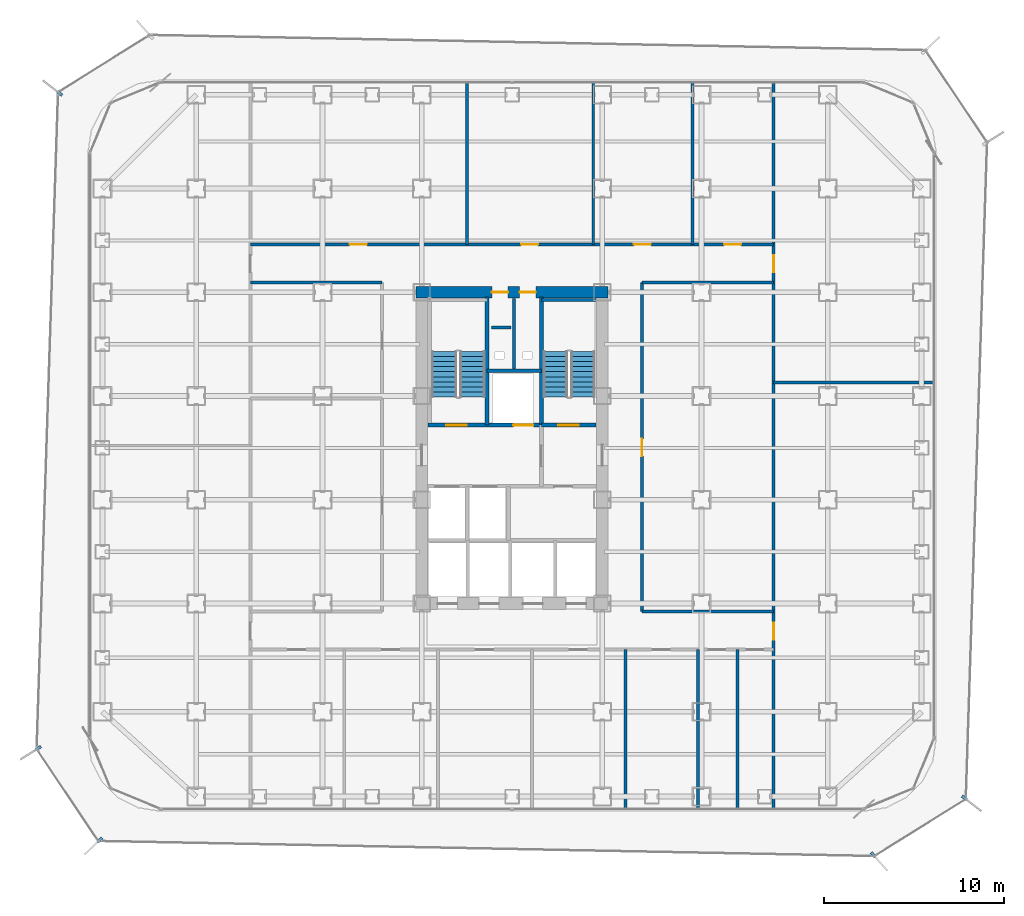
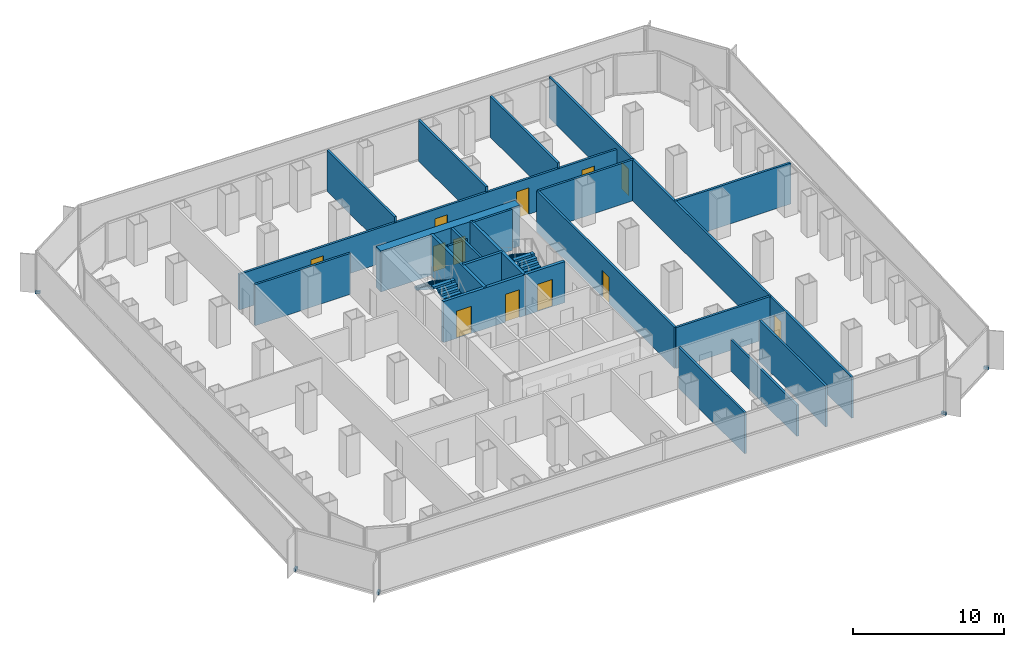
# One storey, part 18 of 22: 22 walls, 12 doors, 5 discrete accessories, 4 stair flights, 12 openings, 2 elements without a shape of their own.
"""IFC4 building model written with IfcOpenShell, lengths in metres."""

from ifc_helpers import new_model, si_unit, direction, frame, frame_2d, origin, origin_2d, place, context, subcontext, project, spatial, polyline, rectangle, outline, extrude, source, transform, mapped, material, layer, layer_set, type_object, element, fill, aggregate, save


model = new_model("IFC4")

# Units and contexts
model_context = context("Model", 3, precision=1e-05, world=origin(), true_north=direction((0.0, 1.0)))
body_context = subcontext(model_context, "Body", "Model", "MODEL_VIEW")
ifc_project = project(units=[si_unit("LENGTHUNIT", "METRE"), si_unit("AREAUNIT", "SQUARE_METRE"), si_unit("VOLUMEUNIT", "CUBIC_METRE"), si_unit("PLANEANGLEUNIT", "RADIAN"), si_unit("MASSUNIT", "GRAM", prefix="KILO")], contexts=[model_context])

# Site, building, storey
site_placement = place(None, origin())
site = spatial("IfcSite", under=ifc_project, at=site_placement, CompositionType="ELEMENT")
building_placement = place(site_placement, origin())
building = spatial("IfcBuilding", under=site, at=building_placement, Name="Kolveth Station Tower", CompositionType="ELEMENT")
storey_placement = place(building_placement, frame((0.0, 0.0, 51.300048828125)))
storey = spatial("IfcBuildingStorey", under=building, at=storey_placement, Name="L13", CompositionType="ELEMENT", Elevation=51.300048828125)

# Wall, openings, doors
ifc_material_1 = material(Name="Concrete C60/75", Category="concrete")
ifc_layer_1 = layer(ifc_material_1, 0.64990234375)
ifc_layer_set_1 = layer_set([ifc_layer_1], Name="Concrete C60/75")
wall_type_1 = type_object("IfcWallType", Name="Wall_CW-650", PredefinedType="SHEAR", material=ifc_layer_set_1)
wall_1_placement = place(storey_placement, frame((18.175048828125, 28.75, 0.0), z_axis=(0.0, 0.0, 1.0), x_axis=(1.0, 0.0, 0.0)))
wall_1 = element("IfcWall", 1, at=wall_1_placement, inside=storey, type_object=wall_type_1, Name="L13 Core RC Shear Wall N", PredefinedType="SHEAR", context=body_context, shape_type="SweptSolid", body=[
    extrude(rectangle(XDim=10.64990234375, YDim=0.64990234375, at=frame_2d((5.324951171875, 0.0))), origin(), (0.0, 0.0, 1.0), 3.320068359375),
])
opening_1_placement = place(wall_1_placement, frame((4.205078125, 0.0, 0.0)))
opening_1 = element("IfcOpeningElement", 2, at=opening_1_placement, cuts=wall_1, Name="Opening RD1", PredefinedType="OPENING", context=body_context, shape_type="SweptSolid", body=[
    extrude(rectangle(XDim=0.89990234375, YDim=2.050048828125, at=frame_2d((0.449951171875, 1.02490234375))), frame((0.0, 0.3349609375, 0.0), z_axis=(0.0, -1.0, 0.0), x_axis=(1.0, 0.0, 0.0)), (0.0, 0.0, 1.0), 0.669921875),
])
opening_2_placement = place(wall_1_placement, frame((5.7451171875, 0.0, 0.0)))
opening_2 = element("IfcOpeningElement", 3, at=opening_2_placement, cuts=wall_1, Name="Opening RD1", PredefinedType="OPENING", context=body_context, shape_type="SweptSolid", body=[
    extrude(rectangle(XDim=0.89990234375, YDim=2.050048828125, at=frame_2d((0.449951171875, 1.02490234375))), frame((0.0, 0.3349609375, 0.0), z_axis=(0.0, -1.0, 0.0), x_axis=(1.0, 0.0, 0.0)), (0.0, 0.0, 1.0), 0.669921875),
])
ifc_material_2 = material(Name="Fire-rated Steel S355 riser access leaf", Category="steel")
door_type_1 = type_object("IfcDoorType", Name="Door_RD1", OperationType="NOTDEFINED", PredefinedType="DOOR", material=ifc_material_2)
door_1_placement = place(opening_1_placement, origin())
door_1 = element("IfcDoor", 4, at=door_1_placement, inside=storey, type_object=door_type_1, Name="L13 Electrical Riser Access Door", OperationType="SINGLE_SWING_LEFT", OverallHeight=2.050048828125, OverallWidth=0.89990234375, PredefinedType="DOOR", context=body_context, shape_type="SweptSolid", body=[
    extrude(rectangle(XDim=0.89990234375, YDim=2.050048828125, at=frame_2d((0.449951171875, 1.02490234375))), frame((0.0, 0.02490234375, 0.0), z_axis=(0.0, -1.0, 0.0), x_axis=(1.0, 0.0, 0.0)), (0.0, 0.0, 1.0), 0.050048828125),
])
fill(opening_1, door_1)
door_2_placement = place(opening_2_placement, origin())
door_2 = element("IfcDoor", 5, at=door_2_placement, inside=storey, type_object=door_type_1, Name="L13 Smoke Duct Access Door", OperationType="SINGLE_SWING_RIGHT", OverallHeight=2.050048828125, OverallWidth=0.89990234375, PredefinedType="DOOR", context=body_context, shape_type="SweptSolid", body=[
    extrude(rectangle(XDim=0.89990234375, YDim=2.050048828125, at=frame_2d((0.449951171875, 1.02490234375))), frame((0.0, 0.02490234375, 0.0), z_axis=(0.0, -1.0, 0.0), x_axis=(1.0, 0.0, 0.0)), (0.0, 0.0, 1.0), 0.050048828125),
])
fill(opening_2, door_2)

# Walls
ifc_material_3 = material(Name="Acoustic double-stud gypsum partition")
ifc_layer_2 = layer(ifc_material_3, 0.1650390625)
ifc_layer_set_2 = layer_set([ifc_layer_2], Name="Acoustic double-stud gypsum partition")
wall_type_2 = type_object("IfcWallType", Name="Wall_IW-165", PredefinedType="PARTITIONING", material=ifc_layer_set_2)
wall_2_placement = place(storey_placement, frame((25.1298828125, 28.3349609375, 0.0), z_axis=(0.0, 0.0, 1.0), x_axis=(1.0, 0.0, 0.0)))
element("IfcWall", 6, at=wall_2_placement, inside=storey, type_object=wall_type_2, Name="L13 Stair Shaft Wall WL-L13-ST2-N", PredefinedType="PARTITIONING", context=body_context, shape_type="SweptSolid", body=[
    extrude(rectangle(XDim=3.03515625, YDim=0.1650390625, at=frame_2d((1.517578125, 0.0))), origin(), (0.0, 0.0, 1.0), 3.320068359375),
])
wall_3_placement = place(storey_placement, frame((23.6201171875, 24.39990234375, 0.0), z_axis=(0.0, 0.0, 1.0), x_axis=(0.0, 1.0, 0.0)))
element("IfcWall", 7, at=wall_3_placement, inside=storey, type_object=wall_type_2, Name="L13 Partition Wall WL-L13-RSR-M", PredefinedType="PARTITIONING", context=body_context, shape_type="SweptSolid", body=[
    extrude(rectangle(XDim=4.01513671875, YDim=0.1650390625, at=frame_2d((2.007568359375, 0.0))), origin(), (0.0, 0.0, 1.0), 3.320068359375),
])

# Wall, openings, doors
wall_4_placement = place(storey_placement, frame((9.0, 31.39990234375, 0.0), z_axis=(0.0, 0.0, 1.0), x_axis=(1.0, 0.0, 0.0)))
wall_4 = element("IfcWall", 8, at=wall_4_placement, inside=storey, type_object=wall_type_2, Name="L13 Partition Wall WL-L13-ON", PredefinedType="PARTITIONING", context=body_context, shape_type="SweptSolid", body=[
    extrude(rectangle(XDim=29.0, YDim=0.1650390625, at=frame_2d((14.5, 0.0))), origin(), (0.0, 0.0, 1.0), 2.89794921875),
])
opening_3_placement = place(wall_4_placement, frame((5.5, 0.0, 0.0)))
opening_3 = element("IfcOpeningElement", 9, at=opening_3_placement, cuts=wall_4, Name="Opening ID1", PredefinedType="OPENING", context=body_context, shape_type="SweptSolid", body=[
    extrude(rectangle(XDim=0.949951171875, YDim=2.14990234375, at=frame_2d((0.47509765625, 1.074951171875))), frame((0.0, 0.092529296875, 0.0), z_axis=(0.0, -1.0, 0.0), x_axis=(1.0, 0.0, 0.0)), (0.0, 0.0, 1.0), 0.18505859375),
])
opening_4_placement = place(wall_4_placement, frame((15.0, 0.0, 0.0)))
opening_4 = element("IfcOpeningElement", 10, at=opening_4_placement, cuts=wall_4, Name="Opening ID1", PredefinedType="OPENING", context=body_context, shape_type="SweptSolid", body=[
    extrude(rectangle(XDim=0.949951171875, YDim=2.14990234375, at=frame_2d((0.47509765625, 1.074951171875))), frame((0.0, 0.092529296875, 0.0), z_axis=(0.0, -1.0, 0.0), x_axis=(1.0, 0.0, 0.0)), (0.0, 0.0, 1.0), 0.18505859375),
])
opening_5_placement = place(wall_4_placement, frame((21.25, 0.0, 0.0)))
opening_5 = element("IfcOpeningElement", 11, at=opening_5_placement, cuts=wall_4, Name="Opening ID1", PredefinedType="OPENING", context=body_context, shape_type="SweptSolid", body=[
    extrude(rectangle(XDim=0.949951171875, YDim=2.14990234375, at=frame_2d((0.47509765625, 1.074951171875))), frame((0.0, 0.092529296875, 0.0), z_axis=(0.0, -1.0, 0.0), x_axis=(1.0, 0.0, 0.0)), (0.0, 0.0, 1.0), 0.18505859375),
])
opening_6_placement = place(wall_4_placement, frame((26.25, 0.0, 0.0)))
opening_6 = element("IfcOpeningElement", 12, at=opening_6_placement, cuts=wall_4, Name="Opening ID1", PredefinedType="OPENING", context=body_context, shape_type="SweptSolid", body=[
    extrude(rectangle(XDim=0.949951171875, YDim=2.14990234375, at=frame_2d((0.47509765625, 1.074951171875))), frame((0.0, 0.092529296875, 0.0), z_axis=(0.0, -1.0, 0.0), x_axis=(1.0, 0.0, 0.0)), (0.0, 0.0, 1.0), 0.18505859375),
])
ifc_material_4 = material(Name="Acoustic hardwood leaf and aluminium frame", Category="wood")
door_type_2 = type_object("IfcDoorType", Name="Door_ID1", OperationType="NOTDEFINED", PredefinedType="DOOR", material=ifc_material_4)
door_3_placement = place(opening_3_placement, origin())
door_3 = element("IfcDoor", 13, at=door_3_placement, inside=storey, type_object=door_type_2, Name="L13 Cellular Office 3 Door", OperationType="SINGLE_SWING_RIGHT", OverallHeight=2.14990234375, OverallWidth=0.949951171875, PredefinedType="DOOR", context=body_context, shape_type="SweptSolid", body=[
    extrude(rectangle(XDim=0.949951171875, YDim=2.14990234375, at=frame_2d((0.47509765625, 1.074951171875))), frame((0.0, 0.02490234375, 0.0), z_axis=(0.0, -1.0, 0.0), x_axis=(1.0, 0.0, 0.0)), (0.0, 0.0, 1.0), 0.050048828125),
])
fill(opening_3, door_3)
door_4_placement = place(opening_4_placement, origin())
door_4 = element("IfcDoor", 14, at=door_4_placement, inside=storey, type_object=door_type_2, Name="L13 Cellular Office 4 Door", OperationType="SINGLE_SWING_LEFT", OverallHeight=2.14990234375, OverallWidth=0.949951171875, PredefinedType="DOOR", context=body_context, shape_type="SweptSolid", body=[
    extrude(rectangle(XDim=0.949951171875, YDim=2.14990234375, at=frame_2d((0.47509765625, 1.074951171875))), frame((0.0, 0.02490234375, 0.0), z_axis=(0.0, -1.0, 0.0), x_axis=(1.0, 0.0, 0.0)), (0.0, 0.0, 1.0), 0.050048828125),
])
fill(opening_4, door_4)
door_5_placement = place(opening_5_placement, origin())
door_5 = element("IfcDoor", 15, at=door_5_placement, inside=storey, type_object=door_type_2, Name="L13 Office Pantry Door", OperationType="SINGLE_SWING_RIGHT", OverallHeight=2.14990234375, OverallWidth=0.949951171875, PredefinedType="DOOR", context=body_context, shape_type="SweptSolid", body=[
    extrude(rectangle(XDim=0.949951171875, YDim=2.14990234375, at=frame_2d((0.47509765625, 1.074951171875))), frame((0.0, 0.02490234375, 0.0), z_axis=(0.0, -1.0, 0.0), x_axis=(1.0, 0.0, 0.0)), (0.0, 0.0, 1.0), 0.050048828125),
])
fill(opening_5, door_5)
door_6_placement = place(opening_6_placement, origin())
door_6 = element("IfcDoor", 16, at=door_6_placement, inside=storey, type_object=door_type_2, Name="L13 Archive Store Door", OperationType="SINGLE_SWING_LEFT", OverallHeight=2.14990234375, OverallWidth=0.949951171875, PredefinedType="DOOR", context=body_context, shape_type="SweptSolid", body=[
    extrude(rectangle(XDim=0.949951171875, YDim=2.14990234375, at=frame_2d((0.47509765625, 1.074951171875))), frame((0.0, 0.02490234375, 0.0), z_axis=(0.0, -1.0, 0.0), x_axis=(1.0, 0.0, 0.0)), (0.0, 0.0, 1.0), 0.050048828125),
])
fill(opening_6, door_6)

# Walls
for number, where, z_axis, x_axis, name in (
    (17, (30.699951171875, 11.050048828125, 0.0), (0.0, 0.0, 1.0), (1.0, 0.0, 0.0), "L13 Partition Wall WL-L13-OSET"),
    (18, (9.0, 29.300048828125, 0.0), (0.0, 0.0, 1.0), (1.0, 0.0, 0.0), "L13 Partition Wall WL-L13-ONWB"),
    (19, (30.699951171875, 29.300048828125, 0.0), (0.0, 0.0, 1.0), (1.0, 0.0, 0.0), "L13 Partition Wall WL-L13-ONEB"),
):
    element("IfcWall", number, at=place(storey_placement, frame(where, z_axis=z_axis, x_axis=x_axis)), inside=storey, type_object=wall_type_2, Name=name, PredefinedType="PARTITIONING", context=body_context, shape_type="SweptSolid", body=[
        extrude(rectangle(XDim=7.300048828125, YDim=0.1650390625, at=frame_2d((3.64990234375, 0.0))), origin(), (0.0, 0.0, 1.0), 3.320068359375),
    ])

# Wall, opening, door
wall_5_placement = place(storey_placement, frame((30.699951171875, 11.050048828125, 0.0), z_axis=(0.0, 0.0, 1.0), x_axis=(0.0, 1.0, 0.0)))
wall_5 = element("IfcWall", 20, at=wall_5_placement, inside=storey, type_object=wall_type_2, Name="L13 Partition Wall WL-L13-OCE", PredefinedType="PARTITIONING", context=body_context, shape_type="SweptSolid", body=[
    extrude(rectangle(XDim=18.25, YDim=0.1650390625, at=frame_2d((9.125, 0.0))), origin(), (0.0, 0.0, 1.0), 3.320068359375),
])
opening_7_placement = place(wall_5_placement, frame((8.625, 0.0, 0.0)))
opening_7 = element("IfcOpeningElement", 21, at=opening_7_placement, cuts=wall_5, Name="Opening ID1", PredefinedType="OPENING", context=body_context, shape_type="SweptSolid", body=[
    extrude(rectangle(XDim=0.949951171875, YDim=2.14990234375, at=frame_2d((0.47509765625, 1.074951171875))), frame((0.0, 0.092529296875, 0.0), z_axis=(0.0, -1.0, 0.0), x_axis=(1.0, 0.0, 0.0)), (0.0, 0.0, 1.0), 0.18505859375),
])
door_7_placement = place(opening_7_placement, origin())
door_7 = element("IfcDoor", 22, at=door_7_placement, inside=storey, type_object=door_type_2, Name="L13 Internal Meeting Room E1 Door", OperationType="SINGLE_SWING_RIGHT", OverallHeight=2.14990234375, OverallWidth=0.949951171875, PredefinedType="DOOR", context=body_context, shape_type="SweptSolid", body=[
    extrude(rectangle(XDim=0.949951171875, YDim=2.14990234375, at=frame_2d((0.47509765625, 1.074951171875))), frame((0.0, 0.02490234375, 0.0), z_axis=(0.0, -1.0, 0.0), x_axis=(1.0, 0.0, 0.0)), (0.0, 0.0, 1.0), 0.050048828125),
])
fill(opening_7, door_7)

# Wall, openings, doors
wall_6_placement = place(storey_placement, frame((38.0, 0.159912109375, 0.0), z_axis=(0.0, 0.0, 1.0), x_axis=(0.0, 1.0, 0.0)))
wall_6 = element("IfcWall", 23, at=wall_6_placement, inside=storey, type_object=wall_type_2, Name="L13 Partition Wall WL-L13-OEEND", PredefinedType="PARTITIONING", context=body_context, shape_type="SweptSolid", body=[
    extrude(rectangle(XDim=40.18017578125, YDim=0.1650390625, at=frame_2d((20.090087890625, 0.0))), origin(), (0.0, 0.0, 1.0), 3.320068359375),
])
opening_8_placement = place(wall_6_placement, frame((9.340087890625, 0.0, 0.0)))
opening_8 = element("IfcOpeningElement", 24, at=opening_8_placement, cuts=wall_6, Name="Opening ID1", PredefinedType="OPENING", context=body_context, shape_type="SweptSolid", body=[
    extrude(rectangle(XDim=0.949951171875, YDim=2.14990234375, at=frame_2d((0.47509765625, 1.074951171875))), frame((0.0, 0.092529296875, 0.0), z_axis=(0.0, -1.0, 0.0), x_axis=(1.0, 0.0, 0.0)), (0.0, 0.0, 1.0), 0.18505859375),
])
opening_9_placement = place(wall_6_placement, frame((29.68994140625, 0.0, 0.0)))
opening_9 = element("IfcOpeningElement", 25, at=opening_9_placement, cuts=wall_6, Name="Opening ID1", PredefinedType="OPENING", context=body_context, shape_type="SweptSolid", body=[
    extrude(rectangle(XDim=0.949951171875, YDim=2.14990234375, at=frame_2d((0.47509765625, 1.074951171875))), frame((0.0, 0.092529296875, 0.0), z_axis=(0.0, -1.0, 0.0), x_axis=(1.0, 0.0, 0.0)), (0.0, 0.0, 1.0), 0.18505859375),
])
door_8_placement = place(opening_8_placement, origin())
door_8 = element("IfcDoor", 26, at=door_8_placement, inside=storey, type_object=door_type_2, Name="L13 East-South Wing Door", OperationType="SINGLE_SWING_RIGHT", OverallHeight=2.14990234375, OverallWidth=0.949951171875, PredefinedType="DOOR", context=body_context, shape_type="SweptSolid", body=[
    extrude(rectangle(XDim=0.949951171875, YDim=2.14990234375, at=frame_2d((0.47509765625, 1.074951171875))), frame((0.0, 0.02490234375, 0.0), z_axis=(0.0, -1.0, 0.0), x_axis=(1.0, 0.0, 0.0)), (0.0, 0.0, 1.0), 0.050048828125),
])
fill(opening_8, door_8)
door_9_placement = place(opening_9_placement, origin())
door_9 = element("IfcDoor", 27, at=door_9_placement, inside=storey, type_object=door_type_2, Name="L13 East-North Wing Door", OperationType="SINGLE_SWING_LEFT", OverallHeight=2.14990234375, OverallWidth=0.949951171875, PredefinedType="DOOR", context=body_context, shape_type="SweptSolid", body=[
    extrude(rectangle(XDim=0.949951171875, YDim=2.14990234375, at=frame_2d((0.47509765625, 1.074951171875))), frame((0.0, 0.02490234375, 0.0), z_axis=(0.0, -1.0, 0.0), x_axis=(1.0, 0.0, 0.0)), (0.0, 0.0, 1.0), 0.050048828125),
])
fill(opening_9, door_9)

# Walls
wall_7_placement = place(storey_placement, frame((29.800048828125, 0.159912109375, 0.0), z_axis=(0.0, 0.0, 1.0), x_axis=(0.0, 1.0, 0.0)))
element("IfcWall", 28, at=wall_7_placement, inside=storey, type_object=wall_type_2, Name="L13 Partition Wall WL-L13-OS-P4", PredefinedType="PARTITIONING", context=body_context, shape_type="SweptSolid", body=[
    extrude(rectangle(XDim=8.7900390625, YDim=0.1650390625, at=frame_2d((4.39501953125, 0.0))), origin(), (0.0, 0.0, 1.0), 3.320068359375),
])
wall_8_placement = place(storey_placement, frame((33.800048828125, 0.159912109375, 0.0), z_axis=(0.0, 0.0, 1.0), x_axis=(0.0, 1.0, 0.0)))
element("IfcWall", 29, at=wall_8_placement, inside=storey, type_object=wall_type_2, Name="L13 Partition Wall WL-L13-OS-P5", PredefinedType="PARTITIONING", context=body_context, shape_type="SweptSolid", body=[
    extrude(rectangle(XDim=8.7900390625, YDim=0.1650390625, at=frame_2d((4.39501953125, 0.0))), origin(), (0.0, 0.0, 1.0), 2.5390625),
])
wall_9_placement = place(storey_placement, frame((36.0, 0.159912109375, 0.0), z_axis=(0.0, 0.0, 1.0), x_axis=(0.0, 1.0, 0.0)))
element("IfcWall", 30, at=wall_9_placement, inside=storey, type_object=wall_type_2, Name="L13 Partition Wall WL-L13-OS-P6", PredefinedType="PARTITIONING", context=body_context, shape_type="SweptSolid", body=[
    extrude(rectangle(XDim=8.7900390625, YDim=0.1650390625, at=frame_2d((4.39501953125, 0.0))), origin(), (0.0, 0.0, 1.0), 3.320068359375),
])
for number, where, z_axis, x_axis, name in (
    (31, (21.0, 31.39990234375, 0.0), (0.0, 0.0, 1.0), (0.0, 1.0, 0.0), "L13 Partition Wall WL-L13-ON-P1"),
    (32, (28.0, 31.39990234375, 0.0), (0.0, 0.0, 1.0), (0.0, 1.0, 0.0), "L13 Partition Wall WL-L13-ON-P2"),
    (33, (33.5, 31.39990234375, 0.0), (0.0, 0.0, 1.0), (0.0, 1.0, 0.0), "L13 Partition Wall WL-L13-ON-P3"),
):
    element("IfcWall", number, at=place(storey_placement, frame(where, z_axis=z_axis, x_axis=x_axis)), inside=storey, type_object=wall_type_2, Name=name, PredefinedType="PARTITIONING", context=body_context, shape_type="SweptSolid", body=[
        extrude(rectangle(XDim=8.940185546875, YDim=0.1650390625, at=frame_2d((4.47021484375, 0.0))), origin(), (0.0, 0.0, 1.0), 3.320068359375),
    ])
wall_10_placement = place(storey_placement, frame((38.0, 23.75, 0.0), z_axis=(0.0, 0.0, 1.0), x_axis=(1.0, 0.0, 0.0)))
element("IfcWall", 34, at=wall_10_placement, inside=storey, type_object=wall_type_2, Name="L13 Partition Wall WL-L13-OEM", PredefinedType="PARTITIONING", context=body_context, shape_type="SweptSolid", body=[
    extrude(rectangle(XDim=8.840087890625, YDim=0.1650390625, at=frame_2d((4.419921875, 0.0))), origin(), (0.0, 0.0, 1.0), 3.320068359375),
])
wall_11_placement = place(storey_placement, frame((22.35009765625, 26.800048828125, 0.0), z_axis=(0.0, 0.0, 1.0), x_axis=(1.0, 0.0, 0.0)))
element("IfcWall", 35, at=wall_11_placement, inside=storey, type_object=wall_type_2, Name="L13 Acoustic Riser Dry-Lining Wall", PredefinedType="PARTITIONING", context=body_context, shape_type="SweptSolid", body=[
    extrude(rectangle(XDim=1.099853515625, YDim=0.1650390625, at=frame_2d((0.5498046875, 0.0))), origin(), (0.0, 0.0, 1.0), 3.320068359375),
])
ifc_material_5 = material(Name="Acoustic fire-rated gypsum blockwork", Category="masonry")
ifc_layer_3 = layer(ifc_material_5, 0.199951171875)
ifc_layer_set_3 = layer_set([ifc_layer_3], Name="Acoustic fire-rated gypsum blockwork")
wall_type_3 = type_object("IfcWallType", Name="Wall_IW-200", PredefinedType="PARTITIONING", material=ifc_layer_set_3)
wall_12_placement = place(storey_placement, frame((22.110107421875, 24.39990234375, 0.0), z_axis=(0.0, 0.0, 1.0), x_axis=(1.0, 0.0, 0.0)))
element("IfcWall", 36, at=wall_12_placement, inside=storey, type_object=wall_type_3, Name="L13 Partition Wall WL-L13-RSR-S", PredefinedType="PARTITIONING", context=body_context, shape_type="SweptSolid", body=[
    extrude(rectangle(XDim=3.019775390625, YDim=0.199951171875, at=frame_2d((1.509765625, 0.0))), origin(), (0.0, 0.0, 1.0), 3.320068359375),
])
ifc_material_6 = material(Name="Concrete C40/50", Category="concrete")
ifc_layer_4 = layer(ifc_material_6, 0.219970703125)
ifc_layer_set_4 = layer_set([ifc_layer_4], Name="Concrete C40/50")
wall_type_4 = type_object("IfcWallType", Name="Wall_IW-220", PredefinedType="SOLIDWALL", material=ifc_layer_set_4)
for number, where, z_axis, x_axis, name in (
    (37, (22.110107421875, 21.389892578125, 0.0), (0.0, 0.0, 1.0), (0.0, 1.0, 0.0), "L13 Stair Shaft Wall WL-L13-ST1-E"),
    (38, (25.1298828125, 21.389892578125, 0.0), (0.0, 0.0, 1.0), (0.0, 1.0, 0.0), "L13 Stair Shaft Wall WL-L13-ST2-W"),
):
    element("IfcWall", number, at=place(storey_placement, frame(where, z_axis=z_axis, x_axis=x_axis)), inside=storey, type_object=wall_type_4, Name=name, PredefinedType="SOLIDWALL", context=body_context, shape_type="SweptSolid", body=[
        extrude(rectangle(XDim=7.110107421875, YDim=0.219970703125, at=frame_2d((3.55517578125, 0.0))), origin(), (0.0, 0.0, 1.0), 3.320068359375),
    ])

# Wall, openings, doors
wall_13_placement = place(storey_placement, frame((18.8349609375, 21.389892578125, 0.0), z_axis=(0.0, 0.0, 1.0), x_axis=(1.0, 0.0, 0.0)))
wall_13 = element("IfcWall", 39, at=wall_13_placement, inside=storey, type_object=wall_type_4, Name="L13 Stair Shaft Wall WL-L13-ST1-S", PredefinedType="SOLIDWALL", context=body_context, shape_type="SweptSolid", body=[
    extrude(rectangle(XDim=6.294921875, YDim=0.219970703125, at=frame_2d((3.1474609375, 0.0))), origin(), (0.0, 0.0, 1.0), 3.320068359375),
])
opening_10_placement = place(wall_13_placement, frame((1.014892578125, 0.0, 0.0)))
opening_10 = element("IfcOpeningElement", 40, at=opening_10_placement, cuts=wall_13, Name="Opening FD1", PredefinedType="OPENING", context=body_context, shape_type="SweptSolid", body=[
    extrude(rectangle(XDim=1.14990234375, YDim=2.199951171875, at=frame_2d((0.574951171875, 1.10009765625))), frame((0.0, 0.119873046875, 0.0), z_axis=(0.0, -1.0, 0.0), x_axis=(1.0, 0.0, 0.0)), (0.0, 0.0, 1.0), 0.239990234375),
])
opening_11_placement = place(wall_13_placement, frame((4.7451171875, 0.0, 0.0)))
opening_11 = element("IfcOpeningElement", 41, at=opening_11_placement, cuts=wall_13, Name="Opening LD1", PredefinedType="OPENING", context=body_context, shape_type="SweptSolid", body=[
    extrude(rectangle(XDim=1.10009765625, YDim=2.25, at=frame_2d((0.550048828125, 1.125))), frame((0.0, 0.119873046875, 0.0), z_axis=(0.0, -1.0, 0.0), x_axis=(1.0, 0.0, 0.0)), (0.0, 0.0, 1.0), 0.239990234375),
])
ifc_material_7 = material(Name="Fire-rated Steel S355 leaf and frame", Category="steel")
door_type_3 = type_object("IfcDoorType", Name="Door_FD1", OperationType="NOTDEFINED", PredefinedType="DOOR", material=ifc_material_7)
door_10_placement = place(opening_10_placement, frame((1.14990234375, 0.0, 0.0), z_axis=(0.0, 0.0, 1.0), x_axis=(-1.0, 0.0, 0.0)))
door_10 = element("IfcDoor", 42, at=door_10_placement, inside=storey, type_object=door_type_3, Name="L13 Stair ST1 Fire Door", OperationType="SINGLE_SWING_LEFT", OverallHeight=2.199951171875, OverallWidth=1.14990234375, PredefinedType="DOOR", context=body_context, shape_type="SweptSolid", body=[
    extrude(rectangle(XDim=1.14990234375, YDim=2.199951171875, at=frame_2d((0.574951171875, 1.10009765625))), frame((0.0, 0.02490234375, 0.0), z_axis=(0.0, -1.0, 0.0), x_axis=(1.0, 0.0, 0.0)), (0.0, 0.0, 1.0), 0.050048828125),
])
fill(opening_10, door_10)
ifc_material_8 = material(Name="Brushed stainless steel sliding landing doors", Category="steel")
door_type_4 = type_object("IfcDoorType", Name="Door_LD1", OperationType="NOTDEFINED", PredefinedType="DOOR", material=ifc_material_8)
door_11_placement = place(opening_11_placement, frame((1.10009765625, 0.0, 0.0), z_axis=(0.0, 0.0, 1.0), x_axis=(-1.0, 0.0, 0.0)))
door_11 = element("IfcDoor", 43, at=door_11_placement, inside=storey, type_object=door_type_4, Name="L13 Service Lift SV1 Landing Door", OperationType="DOUBLE_DOOR_SLIDING", OverallHeight=2.25, OverallWidth=1.10009765625, PredefinedType="DOOR", context=body_context, shape_type="SweptSolid", body=[
    extrude(rectangle(XDim=1.10009765625, YDim=2.25, at=frame_2d((0.550048828125, 1.125))), frame((0.0, 0.02490234375, 0.0), z_axis=(0.0, -1.0, 0.0), x_axis=(1.0, 0.0, 0.0)), (0.0, 0.0, 1.0), 0.050048828125),
])
fill(opening_11, door_11)

# Wall, opening, door
wall_14_placement = place(storey_placement, frame((25.1298828125, 21.389892578125, 0.0), z_axis=(0.0, 0.0, 1.0), x_axis=(1.0, 0.0, 0.0)))
wall_14 = element("IfcWall", 44, at=wall_14_placement, inside=storey, type_object=wall_type_4, Name="L13 Stair Shaft Wall WL-L13-ST2-S", PredefinedType="SOLIDWALL", context=body_context, shape_type="SweptSolid", body=[
    extrude(rectangle(XDim=3.03515625, YDim=0.219970703125, at=frame_2d((1.517578125, 0.0))), origin(), (0.0, 0.0, 1.0), 3.320068359375),
])
opening_12_placement = place(wall_14_placement, frame((0.919921875, 0.0, 0.0)))
opening_12 = element("IfcOpeningElement", 45, at=opening_12_placement, cuts=wall_14, Name="Opening FD1", PredefinedType="OPENING", context=body_context, shape_type="SweptSolid", body=[
    extrude(rectangle(XDim=1.14990234375, YDim=2.199951171875, at=frame_2d((0.574951171875, 1.10009765625))), frame((0.0, 0.119873046875, 0.0), z_axis=(0.0, -1.0, 0.0), x_axis=(1.0, 0.0, 0.0)), (0.0, 0.0, 1.0), 0.239990234375),
])
door_12_placement = place(opening_12_placement, frame((1.14990234375, 0.0, 0.0), z_axis=(0.0, 0.0, 1.0), x_axis=(-1.0, 0.0, 0.0)))
door_12 = element("IfcDoor", 46, at=door_12_placement, inside=storey, type_object=door_type_3, Name="L13 Stair ST2 Fire Door", OperationType="SINGLE_SWING_RIGHT", OverallHeight=2.199951171875, OverallWidth=1.14990234375, PredefinedType="DOOR", context=body_context, shape_type="SweptSolid", body=[
    extrude(rectangle(XDim=1.14990234375, YDim=2.199951171875, at=frame_2d((0.574951171875, 1.10009765625))), frame((0.0, 0.02490234375, 0.0), z_axis=(0.0, -1.0, 0.0), x_axis=(1.0, 0.0, 0.0)), (0.0, 0.0, 1.0), 0.050048828125),
])
fill(opening_12, door_12)

# Stair, stair flights
stair_type_1 = type_object("IfcStairType", Name="Stair_ST1", PredefinedType="HALF_TURN_STAIR", material=ifc_material_6)
stair_1_placement = place(storey_placement, origin())
stair_1 = element("IfcStair", 47, at=stair_1_placement, inside=storey, type_object=stair_type_1, Name="L13 Tower Exit Stair ST1", PredefinedType="HALF_TURN_STAIR")
ifc_layer_5 = layer(ifc_material_6, 0.179931640625)
ifc_layer_set_5 = layer_set([ifc_layer_5], Name="Concrete C40/50")
stair_flight_type_1 = type_object("IfcStairFlightType", Name="Flight_ST1", PredefinedType="STRAIGHT", material=ifc_layer_set_5)
stair_flight_1_placement = place(storey_placement, frame((21.300048828125, 22.949951171875, 0.0), z_axis=(0.0, 0.0, 1.0), x_axis=(0.0, 1.0, 0.0)))
stair_flight_1 = element("IfcStairFlight", 48, at=stair_flight_1_placement, type_object=stair_flight_type_1, Name="ST1 flight 1", NumberOfRisers=10, NumberOfTreads=9, PredefinedType="STRAIGHT", RiserHeight=0.18, TreadLength=0.28, context=body_context, shape_type="SweptSolid", body=[
    extrude(outline(polyline([(0.0, 0.0), (0.0, 0.179931640625), (0.280029296875, 0.179931640625), (0.280029296875, 0.360107421875), (0.56005859375, 0.360107421875), (0.56005859375, 0.5400390625), (0.840087890625, 0.5400390625), (0.840087890625, 0.719970703125), (1.1201171875, 0.719970703125), (1.1201171875, 0.89990234375), (1.39990234375, 0.89990234375), (1.39990234375, 1.080078125), (1.679931640625, 1.080078125), (1.679931640625, 1.260009765625), (1.9599609375, 1.260009765625), (1.9599609375, 1.43994140625), (2.239990234375, 1.43994140625), (2.239990234375, 1.6201171875), (2.52001953125, 1.6201171875), (2.52001953125, 1.800048828125), (2.52001953125, 1.44189453125), (0.277099609375, 0.0), (0.0, 0.0)])), frame((0.0, 0.699951171875, 0.0), z_axis=(0.0, -1.0, 0.0), x_axis=(1.0, 0.0, 0.0)), (0.0, 0.0, 1.0), 1.39990234375),
])
stair_flight_2_placement = place(storey_placement, frame((19.739990234375, 25.469970703125, 1.800048828125), z_axis=(0.0, 0.0, 1.0), x_axis=(0.0, -1.0, 0.0)))
stair_flight_2 = element("IfcStairFlight", 49, at=stair_flight_2_placement, type_object=stair_flight_type_1, Name="ST1 flight 2", NumberOfRisers=10, NumberOfTreads=9, PredefinedType="STRAIGHT", RiserHeight=0.18, TreadLength=0.28, context=body_context, shape_type="SweptSolid", body=[
    extrude(outline(polyline([(0.0, 0.0), (0.0, 0.179931640625), (0.280029296875, 0.179931640625), (0.280029296875, 0.360107421875), (0.56005859375, 0.360107421875), (0.56005859375, 0.5400390625), (0.840087890625, 0.5400390625), (0.840087890625, 0.719970703125), (1.1201171875, 0.719970703125), (1.1201171875, 0.89990234375), (1.39990234375, 0.89990234375), (1.39990234375, 1.080078125), (1.679931640625, 1.080078125), (1.679931640625, 1.260009765625), (1.9599609375, 1.260009765625), (1.9599609375, 1.43994140625), (2.239990234375, 1.43994140625), (2.239990234375, 1.6201171875), (2.52001953125, 1.6201171875), (2.52001953125, 1.800048828125), (2.52001953125, 1.44189453125), (0.277099609375, 0.0), (0.0, 0.0)])), frame((0.0, 0.699951171875, 0.0), z_axis=(0.0, -1.0, 0.0), x_axis=(1.0, 0.0, 0.0)), (0.0, 0.0, 1.0), 1.39990234375),
])
aggregate(stair_1, [stair_flight_1, stair_flight_2])

stair_type_2 = type_object("IfcStairType", Name="Stair_ST2", PredefinedType="HALF_TURN_STAIR", material=ifc_material_6)
stair_2_placement = place(storey_placement, origin())
stair_2 = element("IfcStair", 50, at=stair_2_placement, inside=storey, type_object=stair_type_2, Name="L13 Tower Exit Stair ST2", PredefinedType="HALF_TURN_STAIR")
ifc_layer_6 = layer(ifc_material_6, 0.179931640625)
ifc_layer_set_6 = layer_set([ifc_layer_6], Name="Concrete C40/50")
stair_flight_type_2 = type_object("IfcStairFlightType", Name="Flight_ST2", PredefinedType="STRAIGHT", material=ifc_layer_set_6)
stair_flight_3_placement = place(storey_placement, frame((27.425048828125, 22.949951171875, 0.0), z_axis=(0.0, 0.0, 1.0), x_axis=(0.0, 1.0, 0.0)))
stair_flight_3 = element("IfcStairFlight", 51, at=stair_flight_3_placement, type_object=stair_flight_type_2, Name="ST2 flight 1", NumberOfRisers=10, NumberOfTreads=9, PredefinedType="STRAIGHT", RiserHeight=0.18, TreadLength=0.28, context=body_context, shape_type="SweptSolid", body=[
    extrude(outline(polyline([(0.0, 0.0), (0.0, 0.179931640625), (0.280029296875, 0.179931640625), (0.280029296875, 0.360107421875), (0.56005859375, 0.360107421875), (0.56005859375, 0.5400390625), (0.840087890625, 0.5400390625), (0.840087890625, 0.719970703125), (1.1201171875, 0.719970703125), (1.1201171875, 0.89990234375), (1.39990234375, 0.89990234375), (1.39990234375, 1.080078125), (1.679931640625, 1.080078125), (1.679931640625, 1.260009765625), (1.9599609375, 1.260009765625), (1.9599609375, 1.43994140625), (2.239990234375, 1.43994140625), (2.239990234375, 1.6201171875), (2.52001953125, 1.6201171875), (2.52001953125, 1.800048828125), (2.52001953125, 1.44189453125), (0.277099609375, 0.0), (0.0, 0.0)])), frame((0.0, 0.675048828125, 0.0), z_axis=(0.0, -1.0, 0.0), x_axis=(1.0, 0.0, 0.0)), (0.0, 0.0, 1.0), 1.35009765625),
])
stair_flight_4_placement = place(storey_placement, frame((25.9150390625, 25.469970703125, 1.800048828125), z_axis=(0.0, 0.0, 1.0), x_axis=(0.0, -1.0, 0.0)))
stair_flight_4 = element("IfcStairFlight", 52, at=stair_flight_4_placement, type_object=stair_flight_type_2, Name="ST2 flight 2", NumberOfRisers=10, NumberOfTreads=9, PredefinedType="STRAIGHT", RiserHeight=0.18, TreadLength=0.28, context=body_context, shape_type="SweptSolid", body=[
    extrude(outline(polyline([(0.0, 0.0), (0.0, 0.179931640625), (0.280029296875, 0.179931640625), (0.280029296875, 0.360107421875), (0.56005859375, 0.360107421875), (0.56005859375, 0.5400390625), (0.840087890625, 0.5400390625), (0.840087890625, 0.719970703125), (1.1201171875, 0.719970703125), (1.1201171875, 0.89990234375), (1.39990234375, 0.89990234375), (1.39990234375, 1.080078125), (1.679931640625, 1.080078125), (1.679931640625, 1.260009765625), (1.9599609375, 1.260009765625), (1.9599609375, 1.43994140625), (2.239990234375, 1.43994140625), (2.239990234375, 1.6201171875), (2.52001953125, 1.6201171875), (2.52001953125, 1.800048828125), (2.52001953125, 1.44189453125), (0.277099609375, 0.0), (0.0, 0.0)])), frame((0.0, 0.675048828125, 0.0), z_axis=(0.0, -1.0, 0.0), x_axis=(1.0, 0.0, 0.0)), (0.0, 0.0, 1.0), 1.35009765625),
])
aggregate(stair_2, [stair_flight_3, stair_flight_4])

# Discrete accessories
ifc_material_9 = material(Name="Steel S355", Category="steel")
discrete_accessory_type = type_object("IfcDiscreteAccessoryType", Name="Bracket_BK1", PredefinedType="BRACKET", material=ifc_material_9)
shared_shape = source(origin(), body_context, "Body", "SweptSolid", [
    extrude(rectangle(XDim=0.35009765625, YDim=0.159912109375, at=origin_2d()), origin(), (0.0, 0.0, 1.0), 0.219970703125),
])
for number, where, z_axis, x_axis, name in (
    (53, (43.51611328125, -2.424072265625, -0.06005859375), (0.0, 0.0, 1.0), (0.66183538044, -0.749649204093, 0.0), "L13 Double-Skin Radial Tie Bracket 1"),
    (54, (48.575927734375, 0.72509765625, -0.06005859375), (0.0, 0.0, 1.0), (0.788976859824, -0.614422911896, 0.0), "L13 Double-Skin Radial Tie Bracket 2"),
    (55, (-1.573974609375, 39.77392578125, -0.06005859375), (0.0, 0.0, 1.0), (-0.788976859824, 0.614422911896, 0.0), "L13 Double-Skin Radial Tie Bracket 6"),
    (56, (-2.756103515625, 3.488037109375, -0.06005859375), (0.0, 0.0, 1.0), (-0.842828324641, -0.538182511035, 0.0), "L13 Double-Skin Radial Tie Bracket 7"),
    (57, (0.655029296875, -1.596923828125, -0.06005859375), (0.0, 0.0, 1.0), (-0.722725938412, -0.691134732122, 0.0), "L13 Double-Skin Radial Tie Bracket 8"),
):
    element("IfcDiscreteAccessory", number, at=place(storey_placement, frame(where, z_axis=z_axis, x_axis=x_axis)), inside=storey, type_object=discrete_accessory_type, Name=name, PredefinedType="BRACKET", context=body_context, shape_type="MappedRepresentation", body=[
        mapped(shared_shape, transform((0.0, 0.0, 0.0), x_axis=(1.0, 0.0, 0.0), y_axis=(0.0, 1.0, 0.0), z_axis=(0.0, 0.0, 1.0), scale=1.0)),
    ])

save(model, "model.ifc")
